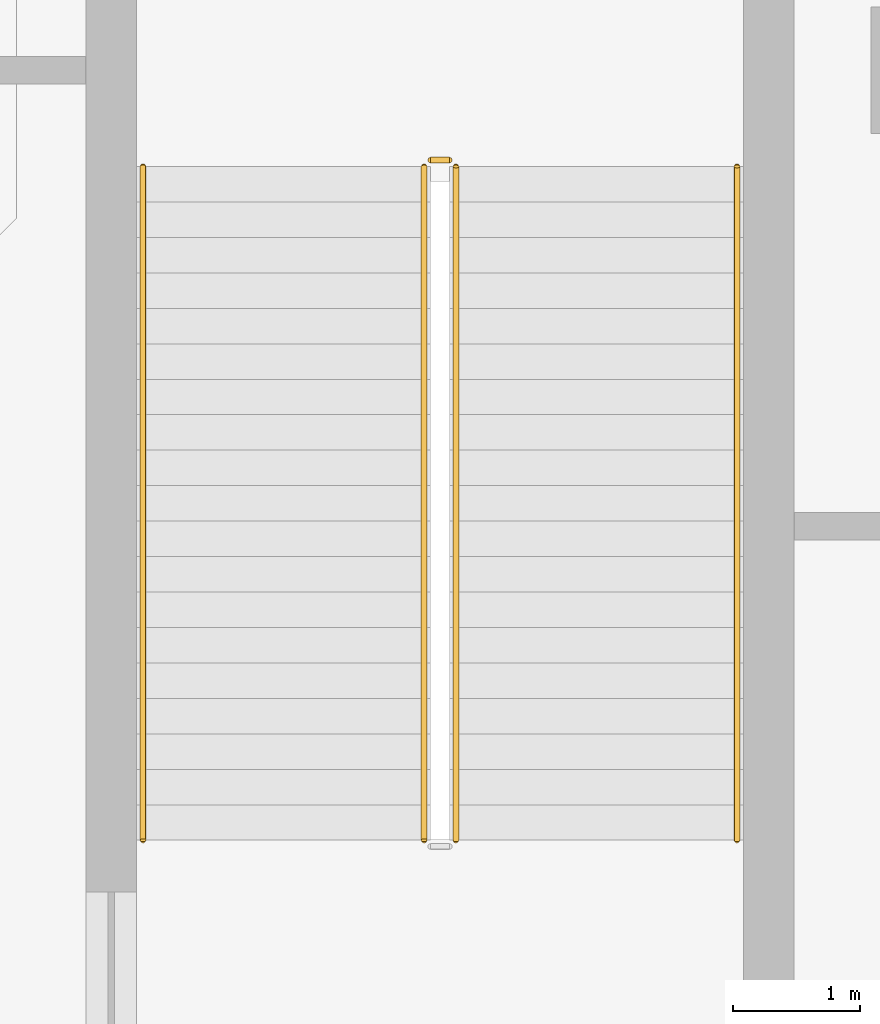
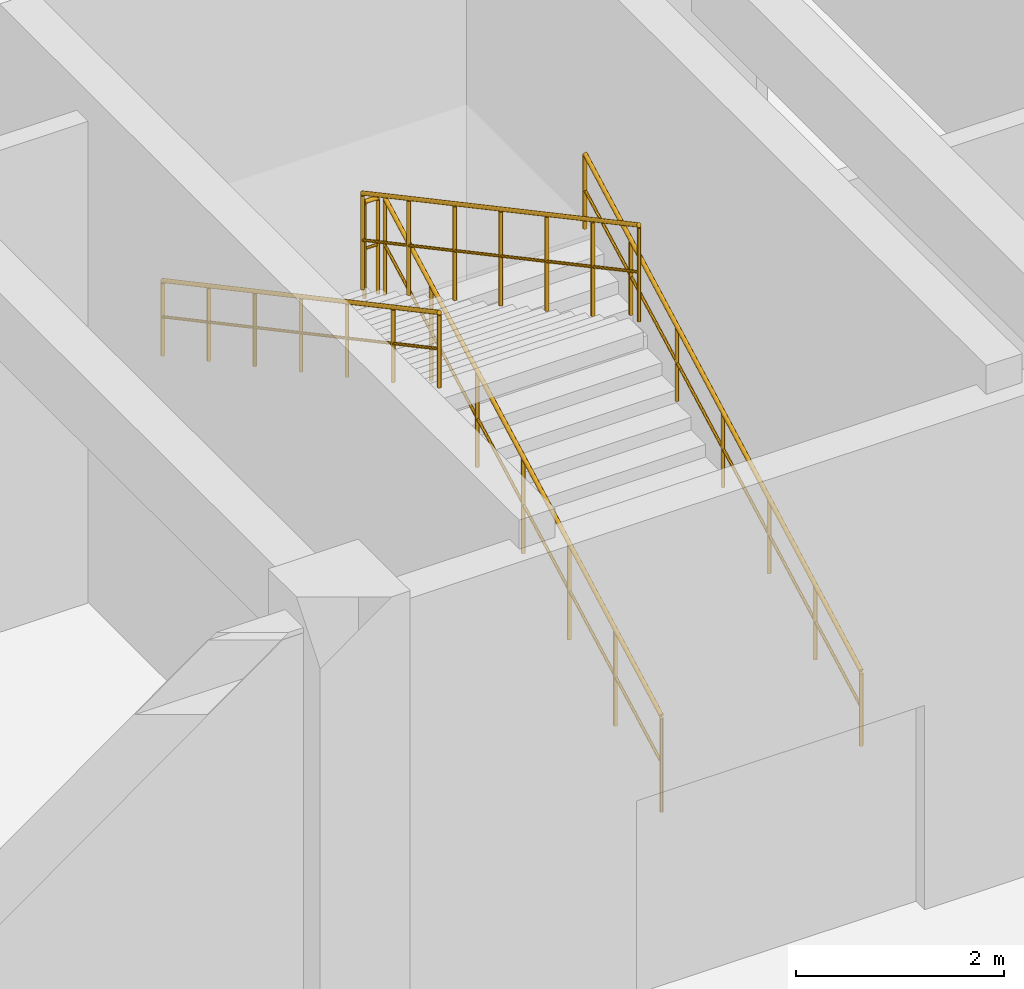
# One storey, part 77 of 82: 5 railings.
"""IFC4 building model written with IfcOpenShell, lengths in metres."""

from ifc_helpers import new_model, si_unit, derived_unit, direction, frame, origin, origin_2d, place, context, subcontext, project, spatial, circle, extrude, material, type_object, element, save


model = new_model("IFC4")

# Units and contexts
model_context = context("Model", 3, precision=1e-05, world=origin(), true_north=direction((0.0, 1.0)))
body_context = subcontext(model_context, "Body", "Model", "MODEL_VIEW")
ifc_project = project(units=[si_unit("LENGTHUNIT", "METRE"), si_unit("AREAUNIT", "SQUARE_METRE"), si_unit("VOLUMEUNIT", "CUBIC_METRE"), si_unit("PLANEANGLEUNIT", "RADIAN"), si_unit("MASSUNIT", "GRAM", prefix="KILO"), derived_unit("THERMALTRANSMITTANCEUNIT", [(si_unit("MASSUNIT", "GRAM", prefix="KILO"), 1), (si_unit("TIMEUNIT", "SECOND"), -3), (si_unit("THERMODYNAMICTEMPERATUREUNIT", "KELVIN"), -1)])], contexts=[model_context])

# Site, building, storey
site_placement = place(None, origin())
site = spatial("IfcSite", under=ifc_project, at=site_placement, CompositionType="ELEMENT")
building_placement = place(site_placement, origin())
building = spatial("IfcBuilding", under=site, at=building_placement, Name="Qinzheling Arcade Emporium", CompositionType="ELEMENT")
storey_placement = place(building_placement, origin())
storey = spatial("IfcBuildingStorey", under=building, at=storey_placement, Name="L01", CompositionType="ELEMENT", Elevation=0.0)

# Railings
ifc_material_1 = material(Name="Galvanised powder-coated tubular steel", Category="steel")
railing_type_1 = type_object("IfcRailingType", Name="Painted Steel Stairwell Guard Railing 1150", PredefinedType="GUARDRAIL", material=ifc_material_1)
railing_1_placement = place(storey_placement, frame((91.919921875, 44.320068359375, 0.14990234375)))
element("IfcRailing", 1, at=railing_1_placement, inside=storey, type_object=railing_type_1, Name="L01 ST04 stair guard 1", PredefinedType="GUARDRAIL", context=body_context, shape_type="SweptSolid", body=[
    extrude(circle(Radius=0.02392578125, at=origin_2d()), frame((0.0, 0.0, 1.1259765625), z_axis=(0.0, 0.881466739329, 0.472246108991), x_axis=(-1.0, 0.0, 0.0)), (0.0, 0.0, 1.0), 6.03515625),
    extrude(circle(Radius=0.01611328125, at=origin_2d()), frame((0.0, 0.0, 0.574951171875), z_axis=(0.0, 0.881466739329, 0.472246108991), x_axis=(-1.0, 0.0, 0.0)), (0.0, 0.0, 1.0), 6.03515625),
    extrude(circle(Radius=0.02099609375, at=origin_2d()), origin(), (0.0, 0.0, 1.0), 1.101806640625),
    extrude(circle(Radius=0.02099609375, at=origin_2d()), frame((0.0, 0.88671875, 0.47509765625)), (0.0, 0.0, 1.0), 1.101806640625),
    extrude(circle(Radius=0.02099609375, at=origin_2d()), frame((0.0, 1.773193359375, 0.949951171875)), (0.0, 0.0, 1.0), 1.101806640625),
    extrude(circle(Radius=0.02099609375, at=origin_2d()), frame((0.0, 2.659912109375, 1.425048828125)), (0.0, 0.0, 1.0), 1.101806640625),
    extrude(circle(Radius=0.02099609375, at=origin_2d()), frame((0.0, 3.546630859375, 1.900146484375)), (0.0, 0.0, 1.0), 1.101806640625),
    extrude(circle(Radius=0.02099609375, at=origin_2d()), frame((0.0, 4.43310546875, 2.375)), (0.0, 0.0, 1.0), 1.101806640625),
    extrude(circle(Radius=0.02099609375, at=origin_2d()), frame((0.0, 5.31982421875, 2.85009765625)), (0.0, 0.0, 1.0), 1.101806640625),
])
railing_2_placement = place(storey_placement, frame((91.8701171875, 49.68994140625, 3.0)))
element("IfcRailing", 2, at=railing_2_placement, inside=storey, type_object=railing_type_1, Name="L01 ST04 stair guard 2", PredefinedType="GUARDRAIL", context=body_context, shape_type="SweptSolid", body=[
    extrude(circle(Radius=0.02392578125, at=origin_2d()), frame((0.0, 0.0, 1.1259765625), z_axis=(-1.0, 0.0, 0.0), x_axis=(0.0, -1.0, 0.0)), (0.0, 0.0, 1.0), 0.150146484375),
    extrude(circle(Radius=0.01611328125, at=origin_2d()), frame((0.0, 0.0, 0.574951171875), z_axis=(-1.0, 0.0, 0.0), x_axis=(0.0, -1.0, 0.0)), (0.0, 0.0, 1.0), 0.150146484375),
    extrude(circle(Radius=0.02099609375, at=origin_2d()), origin(), (0.0, 0.0, 1.0), 1.101806640625),
    extrude(circle(Radius=0.02099609375, at=origin_2d()), frame((-0.150146484375, 0.0, 0.0)), (0.0, 0.0, 1.0), 1.101806640625),
])
railing_3_placement = place(storey_placement, frame((91.669921875, 49.639892578125, 3.14990234375)))
element("IfcRailing", 3, at=railing_3_placement, inside=storey, type_object=railing_type_1, Name="L01 ST04 stair guard 3", PredefinedType="GUARDRAIL", context=body_context, shape_type="SweptSolid", body=[
    extrude(circle(Radius=0.02392578125, at=origin_2d()), frame((0.0, 0.0, 1.1259765625), z_axis=(0.0, -0.881466739329, 0.472246108991), x_axis=(1.0, 0.0, 0.0)), (0.0, 0.0, 1.0), 6.03515625),
    extrude(circle(Radius=0.01611328125, at=origin_2d()), frame((0.0, 0.0, 0.574951171875), z_axis=(0.0, -0.881466739329, 0.472246108991), x_axis=(1.0, 0.0, 0.0)), (0.0, 0.0, 1.0), 6.03515625),
    extrude(circle(Radius=0.02099609375, at=origin_2d()), origin(), (0.0, 0.0, 1.0), 1.101806640625),
    extrude(circle(Radius=0.02099609375, at=origin_2d()), frame((0.0, -0.88671875, 0.47509765625)), (0.0, 0.0, 1.0), 1.101806640625),
    extrude(circle(Radius=0.02099609375, at=origin_2d()), frame((0.0, -1.773193359375, 0.949951171875)), (0.0, 0.0, 1.0), 1.101806640625),
    extrude(circle(Radius=0.02099609375, at=origin_2d()), frame((0.0, -2.659912109375, 1.425048828125)), (0.0, 0.0, 1.0), 1.101806640625),
    extrude(circle(Radius=0.02099609375, at=origin_2d()), frame((0.0, -3.546630859375, 1.900146484375)), (0.0, 0.0, 1.0), 1.101806640625),
    extrude(circle(Radius=0.02099609375, at=origin_2d()), frame((0.0, -4.43310546875, 2.375)), (0.0, 0.0, 1.0), 1.101806640625),
    extrude(circle(Radius=0.02099609375, at=origin_2d()), frame((0.0, -5.31982421875, 2.85009765625)), (0.0, 0.0, 1.0), 1.101806640625),
])
ifc_material_2 = material(Name="Brushed stainless steel 304", Category="steel")
railing_type_2 = type_object("IfcRailingType", Name="Stainless Steel Wall Handrail 900", PredefinedType="HANDRAIL", material=ifc_material_2)
railing_4_placement = place(storey_placement, frame((94.139892578125, 44.320068359375, 0.14990234375)))
element("IfcRailing", 4, at=railing_4_placement, inside=storey, type_object=railing_type_2, Name="L01 ST04 stair handrail 1", PredefinedType="HANDRAIL", context=body_context, shape_type="SweptSolid", body=[
    extrude(circle(Radius=0.02392578125, at=origin_2d()), frame((0.0, 0.0, 0.8759765625), z_axis=(0.0, 0.881466739329, 0.472246108991), x_axis=(-1.0, 0.0, 0.0)), (0.0, 0.0, 1.0), 6.03515625),
    extrude(circle(Radius=0.01611328125, at=origin_2d()), frame((0.0, 0.0, 0.449951171875), z_axis=(0.0, 0.881466739329, 0.472246108991), x_axis=(-1.0, 0.0, 0.0)), (0.0, 0.0, 1.0), 6.03515625),
    extrude(circle(Radius=0.02099609375, at=origin_2d()), origin(), (0.0, 0.0, 1.0), 0.851806640625),
    extrude(circle(Radius=0.02099609375, at=origin_2d()), frame((0.0, 0.88671875, 0.47509765625)), (0.0, 0.0, 1.0), 0.851806640625),
    extrude(circle(Radius=0.02099609375, at=origin_2d()), frame((0.0, 1.773193359375, 0.949951171875)), (0.0, 0.0, 1.0), 0.851806640625),
    extrude(circle(Radius=0.02099609375, at=origin_2d()), frame((0.0, 2.659912109375, 1.425048828125)), (0.0, 0.0, 1.0), 0.851806640625),
    extrude(circle(Radius=0.02099609375, at=origin_2d()), frame((0.0, 3.546630859375, 1.900146484375)), (0.0, 0.0, 1.0), 0.851806640625),
    extrude(circle(Radius=0.02099609375, at=origin_2d()), frame((0.0, 4.43310546875, 2.375)), (0.0, 0.0, 1.0), 0.851806640625),
    extrude(circle(Radius=0.02099609375, at=origin_2d()), frame((0.0, 5.31982421875, 2.85009765625)), (0.0, 0.0, 1.0), 0.851806640625),
])
railing_5_placement = place(storey_placement, frame((89.449951171875, 49.639892578125, 3.14990234375)))
element("IfcRailing", 5, at=railing_5_placement, inside=storey, type_object=railing_type_2, Name="L01 ST04 stair handrail 2", PredefinedType="HANDRAIL", context=body_context, shape_type="SweptSolid", body=[
    extrude(circle(Radius=0.02392578125, at=origin_2d()), frame((0.0, 0.0, 0.8759765625), z_axis=(0.0, -0.881466739329, 0.472246108991), x_axis=(1.0, 0.0, 0.0)), (0.0, 0.0, 1.0), 6.03515625),
    extrude(circle(Radius=0.01611328125, at=origin_2d()), frame((0.0, 0.0, 0.449951171875), z_axis=(0.0, -0.881466739329, 0.472246108991), x_axis=(1.0, 0.0, 0.0)), (0.0, 0.0, 1.0), 6.03515625),
    extrude(circle(Radius=0.02099609375, at=origin_2d()), origin(), (0.0, 0.0, 1.0), 0.851806640625),
    extrude(circle(Radius=0.02099609375, at=origin_2d()), frame((0.0, -0.88671875, 0.47509765625)), (0.0, 0.0, 1.0), 0.851806640625),
    extrude(circle(Radius=0.02099609375, at=origin_2d()), frame((0.0, -1.773193359375, 0.949951171875)), (0.0, 0.0, 1.0), 0.851806640625),
    extrude(circle(Radius=0.02099609375, at=origin_2d()), frame((0.0, -2.659912109375, 1.425048828125)), (0.0, 0.0, 1.0), 0.851806640625),
    extrude(circle(Radius=0.02099609375, at=origin_2d()), frame((0.0, -3.546630859375, 1.900146484375)), (0.0, 0.0, 1.0), 0.851806640625),
    extrude(circle(Radius=0.02099609375, at=origin_2d()), frame((0.0, -4.43310546875, 2.375)), (0.0, 0.0, 1.0), 0.851806640625),
    extrude(circle(Radius=0.02099609375, at=origin_2d()), frame((0.0, -5.31982421875, 2.85009765625)), (0.0, 0.0, 1.0), 0.851806640625),
])

save(model, "model.ifc")
